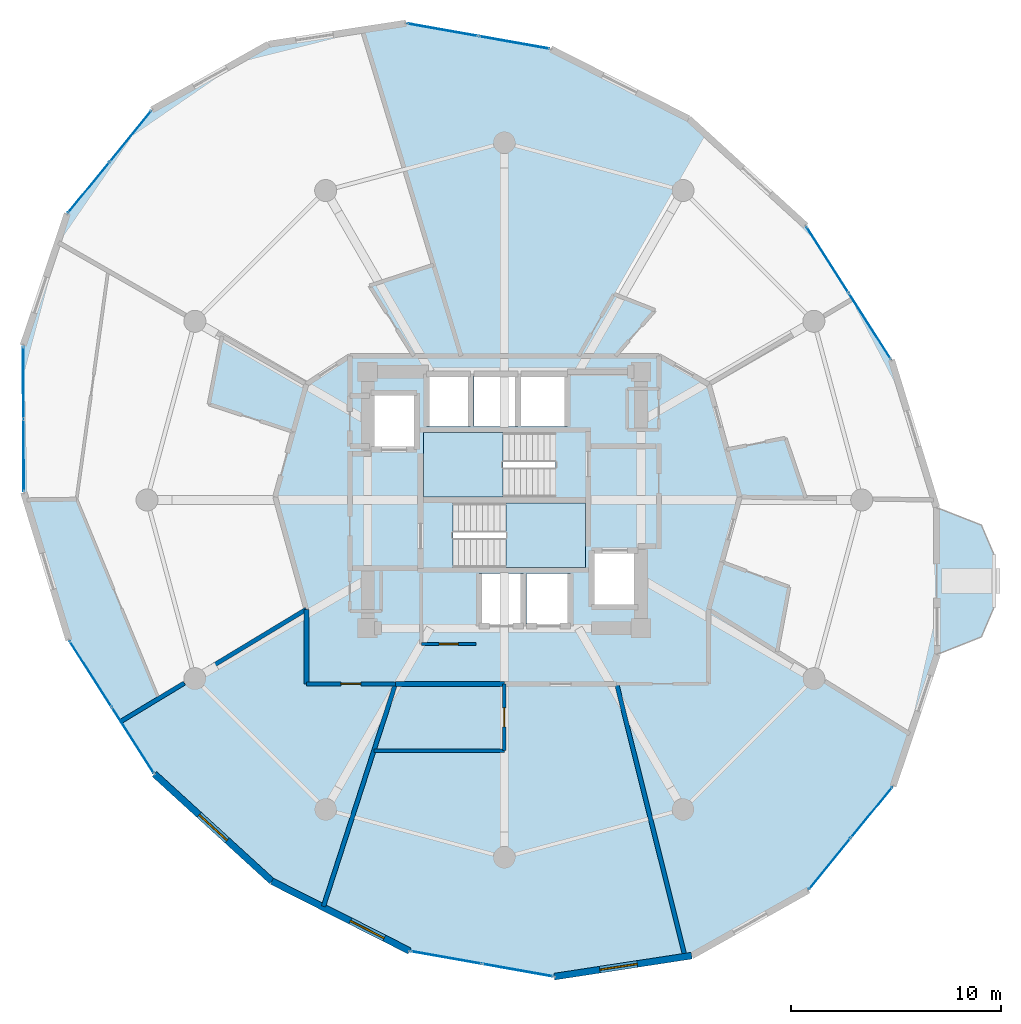
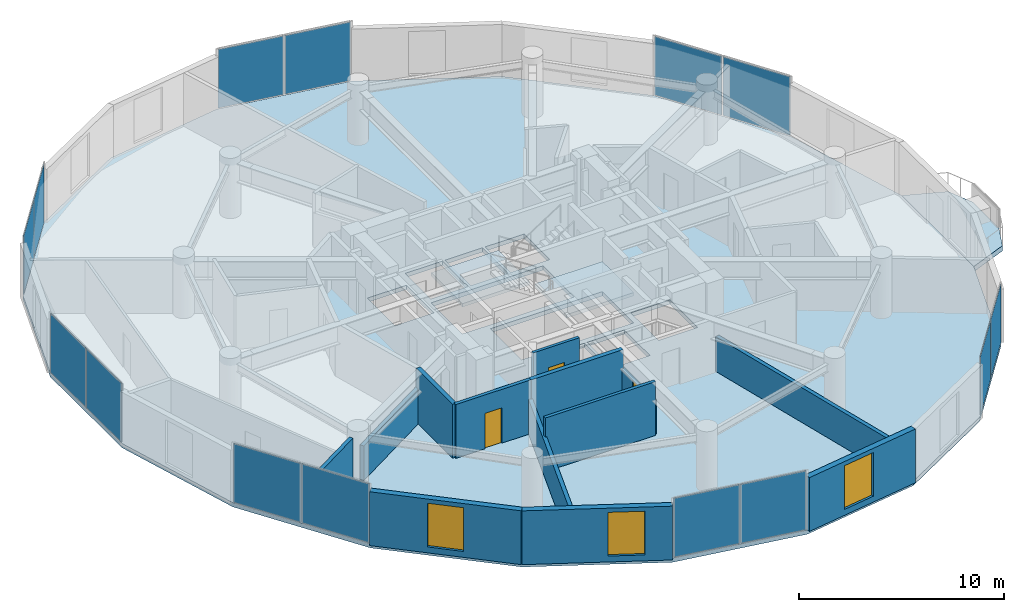
# One storey, part 16 of 22: 14 plates, 13 walls, 4 slabs, 3 doors, 3 windows, 6 openings, 9 elements without a shape of their own.
"""IFC4 building model written with IfcOpenShell, lengths in metres."""

import ifcopenshell
import ifcopenshell.guid

model = None  # the IFC model being written
_history = None  # IfcOwnerHistory: only IFC2X3 demands one
_inside = {}  # id of a spatial element -> (the spatial element, [elements in it])
_under = {}  # id of a project, library or spatial element -> (it, [spatial elements below it])
_declared = {}  # id of a project -> (the project, [libraries it declares])
_typed = {}  # id of a type object -> (the type object, [elements of that type])
_made_of = {}  # id of a material, layer set ... -> (it, [elements and type objects made of it])


def new_model(schema):
    """Start an empty IFC model of exactly this schema.

    Asked for "IFC4X3", IfcOpenShell would pick the latest addendum, in which some entities
    have other attributes; the version numbers below select the first issue.
    IFC2X3 requires an IfcOwnerHistory on every rooted entity: one is made here for all.
    """
    global model, _history
    if schema == "IFC4X3":
        model = ifcopenshell.file(schema_version=(4, 3, 0, 0))
    else:
        model = ifcopenshell.file(schema=schema)
    _inside.clear()
    _under.clear()
    _declared.clear()
    _typed.clear()
    _made_of.clear()
    _history = None
    if model.schema == "IFC2X3":
        org = make("IfcOrganization", Name="unknown")
        user = make(
            "IfcPersonAndOrganization",
            ThePerson=make("IfcPerson", FamilyName="unknown"),
            TheOrganization=org,
        )
        app = make(
            "IfcApplication",
            ApplicationDeveloper=org,
            Version="unknown",
            ApplicationFullName="unknown",
            ApplicationIdentifier="unknown",
        )
        _history = make(
            "IfcOwnerHistory",
            OwningUser=user,
            OwningApplication=app,
            ChangeAction="ADDED",
            CreationDate=0,
        )
    return model


def make(cls, **values):
    """One entity of the class cls with the attributes given. An attribute that is None is left unset."""
    return model.create_entity(
        cls, **{name: value for name, value in values.items() if value is not None}
    )


def rooted(cls, **values):
    """An entity with a GlobalId (a new one), such as an element, a storey or a relation."""
    return make(cls, GlobalId=ifcopenshell.guid.new(), OwnerHistory=_history, **values)


def si_unit(unit_type, name, prefix=None):
    """IfcSIUnit, for example si_unit("LENGTHUNIT", "METRE", prefix="MILLI")."""
    return make("IfcSIUnit", UnitType=unit_type, Prefix=prefix, Name=name)


def assignment(units):
    """IfcUnitAssignment: the units of a project."""
    return None if units is None else make("IfcUnitAssignment", Units=units)


def point(xyz):
    """IfcCartesianPoint."""
    return None if xyz is None else make("IfcCartesianPoint", Coordinates=xyz)


def direction(xyz):
    """IfcDirection."""
    return None if xyz is None else make("IfcDirection", DirectionRatios=xyz)


def frame(location, z_axis=None, x_axis=None):
    """IfcAxis2Placement3D, a coordinate frame: its origin and axes. An axis left out is left unset."""
    return make(
        "IfcAxis2Placement3D",
        Location=point(location),
        Axis=direction(z_axis),
        RefDirection=direction(x_axis),
    )


def frame_2d(location, x_axis=None):
    """IfcAxis2Placement2D, a coordinate frame in the plane: its origin and x axis."""
    return make(
        "IfcAxis2Placement2D", Location=point(location), RefDirection=direction(x_axis)
    )


def origin():
    """The frame at (0, 0, 0) with its axes left unset."""
    return frame((0.0, 0.0, 0.0))


def origin_2d():
    """The frame at (0, 0) in the plane with its x axis left unset."""
    return frame_2d((0.0, 0.0))


def place(relative_to, where):
    """IfcLocalPlacement: puts the frame where relative to a parent placement (None: the world)."""
    return make(
        "IfcLocalPlacement", PlacementRelTo=relative_to, RelativePlacement=where
    )


def context(
    kind, dimensions, precision=None, world=None, true_north=None, identifier=None
):
    """IfcGeometricRepresentationContext, for example the 3D "Model" context."""
    return make(
        "IfcGeometricRepresentationContext",
        ContextIdentifier=identifier,
        ContextType=kind,
        CoordinateSpaceDimension=dimensions,
        Precision=precision,
        WorldCoordinateSystem=world,
        TrueNorth=true_north,
    )


def subcontext(parent, identifier, kind, view, scale=None):
    """IfcGeometricRepresentationSubContext, for example "Body" below "Model"."""
    return make(
        "IfcGeometricRepresentationSubContext",
        ContextIdentifier=identifier,
        ContextType=kind,
        ParentContext=parent,
        TargetScale=scale,
        TargetView=view,
    )


def project(units=None, contexts=None):
    """IfcProject with its units and contexts."""
    return rooted(
        "IfcProject",
        Name="project",
        RepresentationContexts=contexts,
        UnitsInContext=assignment(units),
    )


def spatial(cls, under=None, at=None, **own):
    """A site, building, storey or space (cls), placed at a placement, below another one or the project."""
    s = rooted(cls, ObjectPlacement=at, **own)
    if under is not None:
        _under.setdefault(under.id(), (under, []))[1].append(s)
    return s


def polyline(points):
    """IfcPolyline through the points."""
    return make("IfcPolyline", Points=[point(p) for p in points])


def profile(cls, at=None, kind="AREA", **sizes):
    """A parametric profile (cls). Its sizes go by their IFC names, for example OverallWidth=200.0."""
    return make(cls, ProfileType=kind, Position=at, **sizes)


def rectangle(**sizes):
    """IfcRectangleProfileDef."""
    return profile("IfcRectangleProfileDef", **sizes)


def outline(outer, holes=None, kind="AREA"):
    """IfcArbitraryClosedProfileDef: a profile drawn as a closed curve; with holes, ...WithVoids."""
    if holes is None:
        return make("IfcArbitraryClosedProfileDef", ProfileType=kind, OuterCurve=outer)
    return make(
        "IfcArbitraryProfileDefWithVoids",
        ProfileType=kind,
        OuterCurve=outer,
        InnerCurves=holes,
    )


def extrude(swept, where, along, depth):
    """IfcExtrudedAreaSolid: the profile swept, set in the frame where, extruded along a direction by depth."""
    return make(
        "IfcExtrudedAreaSolid",
        SweptArea=swept,
        Position=where,
        ExtrudedDirection=direction(along),
        Depth=depth,
    )


def shape(context_of_items, identifier, shape_type, items):
    """IfcShapeRepresentation: the items that make up one representation, for example the "Body"."""
    return make(
        "IfcShapeRepresentation",
        ContextOfItems=context_of_items,
        RepresentationIdentifier=identifier,
        RepresentationType=shape_type,
        Items=items,
    )


def source(mapping_origin, context_of_items, identifier, shape_type, items):
    """IfcRepresentationMap: a shape defined once, which mapped items show again and again."""
    return make(
        "IfcRepresentationMap",
        MappingOrigin=mapping_origin,
        MappedRepresentation=shape(context_of_items, identifier, shape_type, items),
    )


def transform(
    local_origin,
    x_axis=None,
    y_axis=None,
    z_axis=None,
    scale=None,
    scale2=None,
    scale3=None,
    uniform=True,
):
    """IfcCartesianTransformationOperator3D, or its non-uniform kind. x_axis, y_axis, z_axis: its Axis1, 2, 3."""
    if uniform:
        return make(
            "IfcCartesianTransformationOperator3D",
            Axis1=direction(x_axis),
            Axis2=direction(y_axis),
            LocalOrigin=point(local_origin),
            Scale=scale,
            Axis3=direction(z_axis),
        )
    return make(
        "IfcCartesianTransformationOperator3DnonUniform",
        Axis1=direction(x_axis),
        Axis2=direction(y_axis),
        LocalOrigin=point(local_origin),
        Scale=scale,
        Axis3=direction(z_axis),
        Scale2=scale2,
        Scale3=scale3,
    )


def mapped(mapping_source, mapping_target):
    """IfcMappedItem: shows the shape of a source again, moved by a transform."""
    return make(
        "IfcMappedItem", MappingSource=mapping_source, MappingTarget=mapping_target
    )


def material(Name=None, Category=None):
    """IfcMaterial."""
    return make("IfcMaterial", Name=Name, Category=Category)


def layer(
    of_material, thickness, ventilated=None, Name=None, Category=None, Priority=None
):
    """IfcMaterialLayer: one layer of a wall or slab, of a material (None: an air gap)."""
    return make(
        "IfcMaterialLayer",
        Material=of_material,
        LayerThickness=thickness,
        IsVentilated=ventilated,
        Name=Name,
        Category=Category,
        Priority=Priority,
    )


def layer_set(layers, Name=None):
    """IfcMaterialLayerSet."""
    return make("IfcMaterialLayerSet", MaterialLayers=layers, LayerSetName=Name)


def made_of(thing, what):
    """Note that an element or type object is made of a material, layer set ...; save() writes the relation."""
    if what is not None:
        _made_of.setdefault(what.id(), (what, []))[1].append(thing)
    return thing


def type_object(cls, material=None, **own):
    """A type object (cls), such as IfcWallType, which elements share."""
    return made_of(rooted(cls, **own), material)


def element(
    cls,
    number,
    at=None,
    inside=None,
    cuts=None,
    type_object=None,
    material=None,
    context=None,
    identifier="Body",
    shape_type=None,
    held_by="IfcProductDefinitionShape",
    body=None,
    shapes=None,
    **own,
):
    """One element of the class cls, such as IfcWall. Its Tag is "e" and its number.

    at: its placement. inside: the storey or other place that contains it. cuts: it is an
    opening in that element (IfcRelVoidsElement). A single representation is given by context,
    identifier, shape_type and body (its items); several are given by shapes. held_by: the class
    of the entity that holds the representations. save() writes the other relations.
    """
    e = rooted(cls, Tag="e%d" % number, ObjectPlacement=at, **own)
    if body is not None:
        shapes = [shape(context, identifier, shape_type, body)]
    if shapes is not None:
        e.Representation = make(held_by, Representations=shapes)
    if inside is not None:
        _inside.setdefault(inside.id(), (inside, []))[1].append(e)
    if cuts is not None:
        rooted(
            "IfcRelVoidsElement", RelatingBuildingElement=cuts, RelatedOpeningElement=e
        )
    if type_object is not None:
        _typed.setdefault(type_object.id(), (type_object, []))[1].append(e)
    return made_of(e, material)


def fill(opening, filler):
    """IfcRelFillsElement: the door or window that sits in an opening."""
    return rooted(
        "IfcRelFillsElement",
        RelatingOpeningElement=opening,
        RelatedBuildingElement=filler,
    )


def aggregate(whole, parts):
    """IfcRelAggregates: a whole, such as a stair, and the parts it consists of."""
    return rooted("IfcRelAggregates", RelatingObject=whole, RelatedObjects=parts)


def save(model, path):
    """Write the relations noted so far, then the file.

    IfcRelAggregates (storeys below a building ...), IfcRelContainedInSpatialStructure (elements
    in a storey), IfcRelDefinesByType, IfcRelAssociatesMaterial and IfcRelDeclares: one each for
    every whole, place, type object, material and project.
    """
    for whole, parts in _under.values():
        aggregate(whole, parts)
    for where, things in _inside.values():
        rooted(
            "IfcRelContainedInSpatialStructure",
            RelatedElements=things,
            RelatingStructure=where,
        )
    for kind, things in _typed.values():
        rooted("IfcRelDefinesByType", RelatedObjects=things, RelatingType=kind)
    for what, things in _made_of.values():
        rooted("IfcRelAssociatesMaterial", RelatedObjects=things, RelatingMaterial=what)
    for by, libraries in _declared.values():
        rooted("IfcRelDeclares", RelatingContext=by, RelatedDefinitions=libraries)
    model.write(path)


model = new_model("IFC4")

# Units and contexts
model_context = context("Model", 3, precision=1e-05, world=origin(), true_north=direction((0.0, 1.0)))
body_context = subcontext(model_context, "Body", "Model", "MODEL_VIEW")
ifc_project = project(units=[si_unit("LENGTHUNIT", "METRE"), si_unit("AREAUNIT", "SQUARE_METRE"), si_unit("VOLUMEUNIT", "CUBIC_METRE"), si_unit("PLANEANGLEUNIT", "RADIAN"), si_unit("MASSUNIT", "GRAM", prefix="KILO")], contexts=[model_context])

# Site, building, storey
site_placement = place(None, origin())
site = spatial("IfcSite", under=ifc_project, at=site_placement, CompositionType="ELEMENT")
building_placement = place(site_placement, origin())
building = spatial("IfcBuilding", under=site, at=building_placement, Name="Solvirekh Grand Hotel", CompositionType="ELEMENT")
storey_placement = place(building_placement, frame((0.0, 0.0, 160.199951171875)))
storey = spatial("IfcBuildingStorey", under=building, at=storey_placement, Name="L41", CompositionType="ELEMENT", Elevation=160.199951171875)

# Slab
ifc_material_1 = material(Name="Concrete C50/60", Category="concrete")
ifc_layer_1 = layer(ifc_material_1, 0.31005859375)
ifc_layer_set_1 = layer_set([ifc_layer_1], Name="Concrete C50/60")
slab_type_1 = type_object("IfcSlabType", Name="ExtHornSkyGarden_310", PredefinedType="FLOOR", material=ifc_layer_set_1)
slab_1_placement = place(storey_placement, frame((0.0, 0.0, -0.31005859375)))
element("IfcSlab", 1, at=slab_1_placement, inside=storey, type_object=slab_type_1, Name="L41 east horn sky-garden deck", PredefinedType="FLOOR", context=body_context, shape_type="SweptSolid", body=[
    extrude(outline(polyline([(20.56201171875, -0.35791015625), (20.589111328125, -7.347900390625), (22.68896484375, -6.509033203125), (23.2890625, -5.111083984375), (23.2890625, -2.594970703125), (22.68896484375, -1.197021484375), (20.56201171875, -0.35791015625)])), origin(), (0.0, 0.0, 1.0), 0.31005859375),
])

# Stair, slab
ifc_material_2 = material(Name="Concrete C40/50", Category="concrete")
stair_type = type_object("IfcStairType", Name="Stair_Core_1450", PredefinedType="HALF_TURN_STAIR", material=ifc_material_2)
stair_1_placement = place(storey_placement, origin())
stair_1 = element("IfcStair", 2, at=stair_1_placement, inside=storey, type_object=stair_type, Name="L41 Enclosed exit stair ST-1", PredefinedType="HALF_TURN_STAIR")
ifc_layer_2 = layer(ifc_material_2, 0.199951171875)
ifc_layer_set_2 = layer_set([ifc_layer_2], Name="Concrete C40/50")
slab_type_2 = type_object("IfcSlabType", Name="Landing_Stair_200", PredefinedType="LANDING", material=ifc_layer_set_2)
slab_2_placement = place(storey_placement, frame((0.0, 0.0, 1.60009765625)))
slab_2 = element("IfcSlab", 3, at=slab_2_placement, type_object=slab_type_2, Name="ST-1 landing 1", PredefinedType="LANDING", context=body_context, shape_type="SweptSolid", body=[
    extrude(outline(polyline([(0.070068359375, -3.199951171875), (3.85009765625, -3.199951171875), (3.85009765625, -0.14990234375), (0.070068359375, -0.14990234375), (0.070068359375, -3.199951171875)])), origin(), (0.0, 0.0, 1.0), 0.199951171875),
])
aggregate(stair_1, [slab_2])

stair_2_placement = place(storey_placement, origin())
stair_2 = element("IfcStair", 4, at=stair_2_placement, inside=storey, type_object=stair_type, Name="L41 Enclosed exit stair ST-2", PredefinedType="HALF_TURN_STAIR")
slab_3_placement = place(storey_placement, frame((0.0, 0.0, 1.60009765625)))
slab_3 = element("IfcSlab", 5, at=slab_3_placement, type_object=slab_type_2, Name="ST-2 landing 1", PredefinedType="LANDING", context=body_context, shape_type="SweptSolid", body=[
    extrude(outline(polyline([(-0.070068359375, 3.199951171875), (-3.85009765625, 3.199951171875), (-3.85009765625, 0.14990234375), (-0.070068359375, 0.14990234375), (-0.070068359375, 3.199951171875)])), origin(), (0.0, 0.0, 1.0), 0.199951171875),
])
aggregate(stair_2, [slab_3])

# Slab
ifc_layer_3 = layer(ifc_material_1, 0.25)
ifc_layer_set_3 = layer_set([ifc_layer_3], Name="Concrete C50/60")
slab_type_3 = type_object("IfcSlabType", Name="Slab_GuestZ2_250", PredefinedType="FLOOR", material=ifc_layer_set_3)
slab_4_placement = place(storey_placement, frame((0.0, 0.0, -0.25)))
element("IfcSlab", 6, at=slab_4_placement, inside=storey, type_object=slab_type_3, Name="L41 structural floor slab", PredefinedType="FLOOR", context=body_context, shape_type="SweptSolid", body=[
    extrude(outline(polyline([(14.464111328125, -18.554931640625), (18.487060546875, -13.617919921875), (20.589111328125, -7.347900390625), (20.56201171875, -0.35791015625), (18.410888671875, 6.666015625), (14.343994140625, 13.0380859375), (8.760986328125, 18.134033203125), (2.2080078125, 21.4541015625), (-4.674072265625, 22.675048828125), (-11.2109375, 21.676025390625), (-16.763916015625, 18.554931640625), (-20.787109375, 13.617919921875), (-22.888916015625, 7.347900390625), (-22.862060546875, 0.35791015625), (-20.7109375, -6.666015625), (-16.64404296875, -13.0380859375), (-11.06103515625, -18.134033203125), (-4.508056640625, -21.4541015625), (2.3740234375, -22.675048828125), (8.910888671875, -21.676025390625), (14.464111328125, -18.554931640625)]), holes=[polyline([(-2.444091796875, -0.14990234375), (3.85009765625, -0.14990234375), (3.85009765625, -3.199951171875), (-2.444091796875, -3.199951171875), (-2.444091796875, -0.14990234375)]), polyline([(2.444091796875, 0.14990234375), (-3.85009765625, 0.14990234375), (-3.85009765625, 3.199951171875), (2.444091796875, 3.199951171875), (2.444091796875, 0.14990234375)]), polyline([(-1.199951171875, -3.5), (0.89990234375, -3.5), (0.89990234375, -6.0), (-1.199951171875, -6.0), (-1.199951171875, -3.5)]), polyline([(1.050048828125, -3.5), (3.14990234375, -3.5), (3.14990234375, -6.0), (1.050048828125, -6.0), (1.050048828125, -3.5)]), polyline([(-3.699951171875, 6.0), (-1.60009765625, 6.0), (-1.60009765625, 3.5), (-3.699951171875, 3.5), (-3.699951171875, 6.0)]), polyline([(-1.449951171875, 6.0), (0.64990234375, 6.0), (0.64990234375, 3.5), (-1.449951171875, 3.5), (-1.449951171875, 6.0)]), polyline([(0.800048828125, 6.0), (3.0, 6.0), (3.0, 3.5), (0.800048828125, 3.5), (0.800048828125, 6.0)]), polyline([(-6.35009765625, 5.10009765625), (-4.14990234375, 5.10009765625), (-4.14990234375, 2.39990234375), (-6.35009765625, 2.39990234375), (-6.35009765625, 5.10009765625)]), polyline([(4.14990234375, -2.39990234375), (6.35009765625, -2.39990234375), (6.35009765625, -5.10009765625), (4.14990234375, -5.10009765625), (4.14990234375, -2.39990234375)])]), origin(), (0.0, 0.0, 1.0), 0.25),
])

# Curtain wall, plates
ifc_material_3 = material(Name="Anodized Bronze Aluminium 6063-T6", Category="aluminium")
ifc_layer_4 = layer(ifc_material_3, 0.175048828125)
ifc_layer_set_4 = layer_set([ifc_layer_4], Name="Anodized Bronze Aluminium 6063-T6")
curtain_wall_type = type_object("IfcCurtainWallType", Name="CW_Sys3_MidZoneFlushBronzeCW", PredefinedType="NOTDEFINED", material=ifc_layer_set_4)
curtain_wall_1_placement = place(storey_placement, origin())
curtain_wall_1 = element("IfcCurtainWall", 7, at=curtain_wall_1_placement, inside=storey, type_object=curtain_wall_type, Name="L41 unitised bronze-glass curtain wall CW-L41-C08", PredefinedType="NOTDEFINED")
ifc_material_4 = material(Name="Low-E Tinted Bronze Laminated Glass", Category="aluminium")
ifc_layer_5 = layer(ifc_material_4, 0.035888671875)
ifc_layer_set_5 = layer_set([ifc_layer_5], Name="Low-E Tinted Bronze Laminated Glass")
plate_type = type_object("IfcPlateType", Name="CWPanel_Mid_36", PredefinedType="CURTAIN_PANEL", material=ifc_layer_set_5)
shared_shape_1 = source(origin(), body_context, "Body", "SweptSolid", [
    extrude(rectangle(XDim=3.397216796875, YDim=0.035888671875, at=origin_2d()), origin(), (0.0, 0.0, 1.0), 3.489990234375),
])
plate_1_placement = place(storey_placement, frame((0.471435546875, 21.76220703125, 0.05517578125), z_axis=(0.0, 0.0, 1.0), x_axis=(-0.984623266048, 0.174691224616, 0.0)))
plate_1 = element("IfcPlate", 8, at=plate_1_placement, type_object=plate_type, Name="U03 panel 1.1", PredefinedType="CURTAIN_PANEL", context=body_context, shape_type="MappedRepresentation", body=[
    mapped(shared_shape_1, transform((0.0, 0.0, 0.0), x_axis=(1.0, 0.0, 0.0), y_axis=(0.0, 1.0, 0.0), z_axis=(0.0, 0.0, 1.0), scale=1.0)),
])
plate_2_placement = place(storey_placement, frame((-2.9375, 22.366943359375, 0.05517578125), z_axis=(0.0, 0.0, 1.0), x_axis=(-0.984623266048, 0.174691224616, 0.0)))
plate_2 = element("IfcPlate", 9, at=plate_2_placement, type_object=plate_type, Name="U03 panel 2.1", PredefinedType="CURTAIN_PANEL", context=body_context, shape_type="MappedRepresentation", body=[
    mapped(shared_shape_1, transform((0.0, 0.0, 0.0), x_axis=(1.0, 0.0, 0.0), y_axis=(0.0, 1.0, 0.0), z_axis=(0.0, 0.0, 1.0), scale=1.0)),
])
aggregate(curtain_wall_1, [plate_1, plate_2])

curtain_wall_2_placement = place(storey_placement, origin())
curtain_wall_2 = element("IfcCurtainWall", 10, at=curtain_wall_2_placement, inside=storey, type_object=curtain_wall_type, Name="L41 unitised bronze-glass curtain wall CW-L41-C18", PredefinedType="NOTDEFINED")
plate_3_placement = place(storey_placement, frame((-2.771484375, -21.76220703125, 0.05517578125), z_axis=(0.0, 0.0, 1.0), x_axis=(0.984623266048, -0.174691224616, 0.0)))
plate_3 = element("IfcPlate", 11, at=plate_3_placement, type_object=plate_type, Name="U03 panel 1.1", PredefinedType="CURTAIN_PANEL", context=body_context, shape_type="MappedRepresentation", body=[
    mapped(shared_shape_1, transform((0.0, 0.0, 0.0), x_axis=(1.0, 0.0, 0.0), y_axis=(0.0, 1.0, 0.0), z_axis=(0.0, 0.0, 1.0), scale=1.0)),
])
plate_4_placement = place(storey_placement, frame((0.637451171875, -22.366943359375, 0.05517578125), z_axis=(0.0, 0.0, 1.0), x_axis=(0.984623266048, -0.174691224616, 0.0)))
plate_4 = element("IfcPlate", 12, at=plate_4_placement, type_object=plate_type, Name="U03 panel 2.1", PredefinedType="CURTAIN_PANEL", context=body_context, shape_type="MappedRepresentation", body=[
    mapped(shared_shape_1, transform((0.0, 0.0, 0.0), x_axis=(1.0, 0.0, 0.0), y_axis=(0.0, 1.0, 0.0), z_axis=(0.0, 0.0, 1.0), scale=1.0)),
])
aggregate(curtain_wall_2, [plate_3, plate_4])

curtain_wall_3_placement = place(storey_placement, origin())
curtain_wall_3 = element("IfcCurtainWall", 13, at=curtain_wall_3_placement, inside=storey, type_object=curtain_wall_type, Name="L41 unitised bronze-glass curtain wall CW-L41-C05", PredefinedType="NOTDEFINED")
shared_shape_2 = source(origin(), body_context, "Body", "SweptSolid", [
    extrude(rectangle(XDim=3.68212890625, YDim=0.035888671875, at=origin_2d()), origin(), (0.0, 0.0, 1.0), 3.489990234375),
])
plate_5_placement = place(storey_placement, frame((17.385498046875, 8.272705078125, 0.05517578125), z_axis=(0.0, 0.0, 1.0), x_axis=(-0.53801345445, 0.842936250751, 0.0)))
plate_5 = element("IfcPlate", 14, at=plate_5_placement, type_object=plate_type, Name="U03 panel 1.1", PredefinedType="CURTAIN_PANEL", context=body_context, shape_type="MappedRepresentation", body=[
    mapped(shared_shape_2, transform((0.0, 0.0, 0.0), x_axis=(1.0, 0.0, 0.0), y_axis=(0.0, 1.0, 0.0), z_axis=(0.0, 0.0, 1.0), scale=1.0)),
])
plate_6_placement = place(storey_placement, frame((15.369384765625, 11.431396484375, 0.05517578125), z_axis=(0.0, 0.0, 1.0), x_axis=(-0.53801345445, 0.842936250751, 0.0)))
plate_6 = element("IfcPlate", 15, at=plate_6_placement, type_object=plate_type, Name="U03 panel 2.1", PredefinedType="CURTAIN_PANEL", context=body_context, shape_type="MappedRepresentation", body=[
    mapped(shared_shape_2, transform((0.0, 0.0, 0.0), x_axis=(1.0, 0.0, 0.0), y_axis=(0.0, 1.0, 0.0), z_axis=(0.0, 0.0, 1.0), scale=1.0)),
])
aggregate(curtain_wall_3, [plate_5, plate_6])

curtain_wall_4_placement = place(storey_placement, origin())
curtain_wall_4 = element("IfcCurtainWall", 16, at=curtain_wall_4_placement, inside=storey, type_object=curtain_wall_type, Name="L41 unitised bronze-glass curtain wall CW-L41-C15", PredefinedType="NOTDEFINED")
plate_7_placement = place(storey_placement, frame((-19.685546875, -8.272705078125, 0.05517578125), z_axis=(0.0, 0.0, 1.0), x_axis=(0.53801345445, -0.842936250751, 0.0)))
plate_7 = element("IfcPlate", 17, at=plate_7_placement, type_object=plate_type, Name="U03 panel 1.1", PredefinedType="CURTAIN_PANEL", context=body_context, shape_type="MappedRepresentation", body=[
    mapped(shared_shape_2, transform((0.0, 0.0, 0.0), x_axis=(1.0, 0.0, 0.0), y_axis=(0.0, 1.0, 0.0), z_axis=(0.0, 0.0, 1.0), scale=1.0)),
])
plate_8_placement = place(storey_placement, frame((-17.66943359375, -11.431396484375, 0.05517578125), z_axis=(0.0, 0.0, 1.0), x_axis=(0.53801345445, -0.842936250751, 0.0)))
plate_8 = element("IfcPlate", 18, at=plate_8_placement, type_object=plate_type, Name="U03 panel 2.1", PredefinedType="CURTAIN_PANEL", context=body_context, shape_type="MappedRepresentation", body=[
    mapped(shared_shape_2, transform((0.0, 0.0, 0.0), x_axis=(1.0, 0.0, 0.0), y_axis=(0.0, 1.0, 0.0), z_axis=(0.0, 0.0, 1.0), scale=1.0)),
])
aggregate(curtain_wall_4, [plate_7, plate_8])

curtain_wall_5_placement = place(storey_placement, origin())
curtain_wall_5 = element("IfcCurtainWall", 19, at=curtain_wall_5_placement, inside=storey, type_object=curtain_wall_type, Name="L41 unitised bronze-glass curtain wall CW-L41-C01", PredefinedType="NOTDEFINED")
shared_shape_3 = source(origin(), body_context, "Body", "SweptSolid", [
    extrude(rectangle(XDim=3.086669921875, YDim=0.035888671875, at=origin_2d()), origin(), (0.0, 0.0, 1.0), 3.489990234375),
])
plate_9_placement = place(storey_placement, frame((15.47998046875, -17.30810546875, 0.05517578125), z_axis=(0.0, 0.0, 1.0), x_axis=(0.631697416679, 0.77521505001, 0.0)))
plate_9 = element("IfcPlate", 20, at=plate_9_placement, type_object=plate_type, Name="U03 panel 1.1", PredefinedType="CURTAIN_PANEL", context=body_context, shape_type="MappedRepresentation", body=[
    mapped(shared_shape_3, transform((0.0, 0.0, 0.0), x_axis=(1.0, 0.0, 0.0), y_axis=(0.0, 1.0, 0.0), z_axis=(0.0, 0.0, 1.0), scale=1.0)),
])
plate_10_placement = place(storey_placement, frame((17.470947265625, -14.86474609375, 0.05517578125), z_axis=(0.0, 0.0, 1.0), x_axis=(0.631697416679, 0.77521505001, 0.0)))
plate_10 = element("IfcPlate", 21, at=plate_10_placement, type_object=plate_type, Name="U03 panel 2.1", PredefinedType="CURTAIN_PANEL", context=body_context, shape_type="MappedRepresentation", body=[
    mapped(shared_shape_3, transform((0.0, 0.0, 0.0), x_axis=(1.0, 0.0, 0.0), y_axis=(0.0, 1.0, 0.0), z_axis=(0.0, 0.0, 1.0), scale=1.0)),
])
aggregate(curtain_wall_5, [plate_9, plate_10])

curtain_wall_6_placement = place(storey_placement, origin())
curtain_wall_6 = element("IfcCurtainWall", 22, at=curtain_wall_6_placement, inside=storey, type_object=curtain_wall_type, Name="L41 unitised bronze-glass curtain wall CW-L41-C11", PredefinedType="NOTDEFINED")
plate_11_placement = place(storey_placement, frame((-17.780029296875, 17.30810546875, 0.05517578125), z_axis=(0.0, 0.0, 1.0), x_axis=(-0.631697416679, -0.77521505001, 0.0)))
plate_11 = element("IfcPlate", 23, at=plate_11_placement, type_object=plate_type, Name="U03 panel 1.1", PredefinedType="CURTAIN_PANEL", context=body_context, shape_type="MappedRepresentation", body=[
    mapped(shared_shape_3, transform((0.0, 0.0, 0.0), x_axis=(1.0, 0.0, 0.0), y_axis=(0.0, 1.0, 0.0), z_axis=(0.0, 0.0, 1.0), scale=1.0)),
])
plate_12_placement = place(storey_placement, frame((-19.77099609375, 14.86474609375, 0.05517578125), z_axis=(0.0, 0.0, 1.0), x_axis=(-0.631697416679, -0.77521505001, 0.0)))
plate_12 = element("IfcPlate", 24, at=plate_12_placement, type_object=plate_type, Name="U03 panel 2.1", PredefinedType="CURTAIN_PANEL", context=body_context, shape_type="MappedRepresentation", body=[
    mapped(shared_shape_3, transform((0.0, 0.0, 0.0), x_axis=(1.0, 0.0, 0.0), y_axis=(0.0, 1.0, 0.0), z_axis=(0.0, 0.0, 1.0), scale=1.0)),
])
aggregate(curtain_wall_6, [plate_11, plate_12])

curtain_wall_7_placement = place(storey_placement, origin())
curtain_wall_7 = element("IfcCurtainWall", 25, at=curtain_wall_7_placement, inside=storey, type_object=curtain_wall_type, Name="L41 unitised bronze-glass curtain wall CW-L41-C13", PredefinedType="NOTDEFINED")
shared_shape_4 = source(origin(), body_context, "Body", "SweptSolid", [
    extrude(rectangle(XDim=3.3974609375, YDim=0.035888671875, at=origin_2d()), origin(), (0.0, 0.0, 1.0), 3.489990234375),
])
plate_13_placement = place(storey_placement, frame((-22.882080078125, 5.584228515625, 0.05517578125), z_axis=(0.0, 0.0, 1.0), x_axis=(0.003862632127, -0.999992540009, 0.0)))
plate_13 = element("IfcPlate", 26, at=plate_13_placement, type_object=plate_type, Name="U03 panel 1.1", PredefinedType="CURTAIN_PANEL", context=body_context, shape_type="MappedRepresentation", body=[
    mapped(shared_shape_4, transform((0.0, 0.0, 0.0), x_axis=(1.0, 0.0, 0.0), y_axis=(0.0, 1.0, 0.0), z_axis=(0.0, 0.0, 1.0), scale=1.0)),
])
plate_14_placement = place(storey_placement, frame((-22.868896484375, 2.121826171875, 0.05517578125), z_axis=(0.0, 0.0, 1.0), x_axis=(0.003862632127, -0.999992540009, 0.0)))
plate_14 = element("IfcPlate", 27, at=plate_14_placement, type_object=plate_type, Name="U03 panel 2.1", PredefinedType="CURTAIN_PANEL", context=body_context, shape_type="MappedRepresentation", body=[
    mapped(shared_shape_4, transform((0.0, 0.0, 0.0), x_axis=(1.0, 0.0, 0.0), y_axis=(0.0, 1.0, 0.0), z_axis=(0.0, 0.0, 1.0), scale=1.0)),
])
aggregate(curtain_wall_7, [plate_13, plate_14])

# Wall, opening, window
ifc_material_5 = material(Name="Precast concrete C45/55", Category="concrete")
ifc_layer_6 = layer(ifc_material_5, 0.320068359375)
ifc_layer_set_6 = layer_set([ifc_layer_6], Name="Precast concrete C45/55")
wall_type_1 = type_object("IfcWallType", Name="ExtLobbyWall_RC320", PredefinedType="SOLIDWALL", material=ifc_layer_set_6)
wall_1_placement = place(storey_placement, frame((-11.06103515625, -18.134033203125, 0.0), z_axis=(0.0, 0.0, 1.0), x_axis=(-0.738589670995, 0.674155247624, 0.0)))
wall_1 = element("IfcWall", 28, at=wall_1_placement, inside=storey, type_object=wall_type_1, Name="L41 exterior structural wall chord 16", PredefinedType="SOLIDWALL", context=body_context, shape_type="SweptSolid", body=[
    extrude(rectangle(XDim=7.55908203125, YDim=0.320068359375, at=frame_2d((3.779541015625, 0.0))), origin(), (0.0, 0.0, 1.0), 3.199951171875),
])
opening_1_placement = place(wall_1_placement, frame((2.8798828125, 0.0, 0.35009765625)))
opening_1 = element("IfcOpeningElement", 29, at=opening_1_placement, cuts=wall_1, Name="Opening W02", PredefinedType="OPENING", context=body_context, shape_type="SweptSolid", body=[
    extrude(rectangle(XDim=1.800048828125, YDim=2.60009765625, at=frame_2d((0.89990234375, 1.300048828125))), frame((0.0, 0.169921875, 0.0), z_axis=(0.0, -1.0, 0.0), x_axis=(1.0, 0.0, 0.0)), (0.0, 0.0, 1.0), 0.340087890625),
])
window_type = type_object("IfcWindowType", Name="Win_LobbyExt_1800X2600", PartitioningType="SINGLE_PANEL", PredefinedType="WINDOW", material=ifc_material_4)
window_1_placement = place(opening_1_placement, origin())
window_1 = element("IfcWindow", 30, at=window_1_placement, inside=storey, type_object=window_type, Name="L41 panoramic bronze-framed window 16", OverallHeight=2.60009765625, OverallWidth=1.800048828125, PartitioningType="SINGLE_PANEL", PredefinedType="WINDOW", context=body_context, shape_type="SweptSolid", body=[
    extrude(rectangle(XDim=1.800048828125, YDim=2.60009765625, at=frame_2d((0.89990234375, 1.300048828125))), frame((0.0, 0.030029296875, 0.0), z_axis=(0.0, -1.0, 0.0), x_axis=(1.0, 0.0, 0.0)), (0.0, 0.0, 1.0), 0.06005859375),
])
fill(opening_1, window_1)

wall_2_placement = place(storey_placement, frame((-4.508056640625, -21.4541015625, 0.0), z_axis=(0.0, 0.0, 1.0), x_axis=(-0.892041671527, 0.451953157151, 0.0)))
wall_2 = element("IfcWall", 31, at=wall_2_placement, inside=storey, type_object=wall_type_1, Name="L41 exterior structural wall chord 17", PredefinedType="SOLIDWALL", context=body_context, shape_type="SweptSolid", body=[
    extrude(rectangle(XDim=7.345947265625, YDim=0.320068359375, at=frame_2d((3.6728515625, 0.0))), origin(), (0.0, 0.0, 1.0), 3.199951171875),
])
opening_2_placement = place(wall_2_placement, frame((1.35791015625, 0.0, 0.35009765625)))
opening_2 = element("IfcOpeningElement", 32, at=opening_2_placement, cuts=wall_2, Name="Opening W02", PredefinedType="OPENING", context=body_context, shape_type="SweptSolid", body=[
    extrude(rectangle(XDim=1.800048828125, YDim=2.60009765625, at=frame_2d((0.89990234375, 1.300048828125))), frame((0.0, 0.169921875, 0.0), z_axis=(0.0, -1.0, 0.0), x_axis=(1.0, 0.0, 0.0)), (0.0, 0.0, 1.0), 0.340087890625),
])
window_2_placement = place(opening_2_placement, origin())
window_2 = element("IfcWindow", 33, at=window_2_placement, inside=storey, type_object=window_type, Name="L41 panoramic bronze-framed window 17", OverallHeight=2.60009765625, OverallWidth=1.800048828125, PartitioningType="SINGLE_PANEL", PredefinedType="WINDOW", context=body_context, shape_type="SweptSolid", body=[
    extrude(rectangle(XDim=1.800048828125, YDim=2.60009765625, at=frame_2d((0.89990234375, 1.300048828125))), frame((0.0, 0.030029296875, 0.0), z_axis=(0.0, -1.0, 0.0), x_axis=(1.0, 0.0, 0.0)), (0.0, 0.0, 1.0), 0.06005859375),
])
fill(opening_2, window_2)

wall_3_placement = place(storey_placement, frame((8.910888671875, -21.676025390625, 0.0), z_axis=(0.0, 0.0, 1.0), x_axis=(-0.988522302644, -0.151075005132, 0.0)))
wall_3 = element("IfcWall", 34, at=wall_3_placement, inside=storey, type_object=wall_type_1, Name="L41 exterior structural wall chord 19", PredefinedType="SOLIDWALL", context=body_context, shape_type="SweptSolid", body=[
    extrude(rectangle(XDim=6.61279296875, YDim=0.320068359375, at=frame_2d((3.306396484375, 0.0))), origin(), (0.0, 0.0, 1.0), 3.199951171875),
])
opening_3_placement = place(wall_3_placement, frame((2.617919921875, 0.0, 0.35009765625)))
opening_3 = element("IfcOpeningElement", 35, at=opening_3_placement, cuts=wall_3, Name="Opening W02", PredefinedType="OPENING", context=body_context, shape_type="SweptSolid", body=[
    extrude(rectangle(XDim=1.800048828125, YDim=2.60009765625, at=frame_2d((0.89990234375, 1.300048828125))), frame((0.0, 0.169921875, 0.0), z_axis=(0.0, -1.0, 0.0), x_axis=(1.0, 0.0, 0.0)), (0.0, 0.0, 1.0), 0.340087890625),
])
window_3_placement = place(opening_3_placement, origin())
window_3 = element("IfcWindow", 36, at=window_3_placement, inside=storey, type_object=window_type, Name="L41 panoramic bronze-framed window 19", OverallHeight=2.60009765625, OverallWidth=1.800048828125, PartitioningType="SINGLE_PANEL", PredefinedType="WINDOW", context=body_context, shape_type="SweptSolid", body=[
    extrude(rectangle(XDim=1.800048828125, YDim=2.60009765625, at=frame_2d((0.89990234375, 1.300048828125))), frame((0.0, 0.030029296875, 0.0), z_axis=(0.0, -1.0, 0.0), x_axis=(1.0, 0.0, 0.0)), (0.0, 0.0, 1.0), 0.06005859375),
])
fill(opening_3, window_3)

# Wall, opening, door
ifc_material_6 = material(Name="Acoustic Gypsum Partition Assembly")
ifc_layer_7 = layer(ifc_material_6, 0.1650390625)
ifc_layer_set_7 = layer_set([ifc_layer_7], Name="Acoustic Gypsum Partition Assembly")
wall_type_2 = type_object("IfcWallType", Name="Part_BOH_165", PredefinedType="PARTITIONING", material=ifc_layer_set_7)
wall_4_placement = place(storey_placement, frame((-3.949951171875, -6.85009765625, 0.0), z_axis=(0.0, 0.0, 1.0), x_axis=(1.0, 0.0, 0.0)))
wall_4 = element("IfcWall", 37, at=wall_4_placement, inside=storey, type_object=wall_type_2, Name="L41 Mid-Zone Housekeeping Room wall 1", PredefinedType="PARTITIONING", context=body_context, shape_type="SweptSolid", body=[
    extrude(rectangle(XDim=2.599853515625, YDim=0.1650390625, at=frame_2d((1.2998046875, 0.0))), origin(), (0.0, 0.0, 1.0), 3.199951171875),
])
opening_4_placement = place(wall_4_placement, frame((0.85009765625, 0.0, 0.0)))
opening_4 = element("IfcOpeningElement", 38, at=opening_4_placement, cuts=wall_4, Name="Opening D14", PredefinedType="OPENING", context=body_context, shape_type="SweptSolid", body=[
    extrude(rectangle(XDim=0.89990234375, YDim=2.02001953125, at=frame_2d((0.449951171875, 1.010009765625))), frame((0.0, 0.092529296875, 0.0), z_axis=(0.0, -1.0, 0.0), x_axis=(1.0, 0.0, 0.0)), (0.0, 0.0, 1.0), 0.18505859375),
])
ifc_material_7 = material(Name="Fire-Rated Steel Door Assembly", Category="steel")
door_type_1 = type_object("IfcDoorType", Name="Door_LowHeadroom_900X2020", OperationType="NOTDEFINED", PredefinedType="DOOR", material=ifc_material_7)
door_1_placement = place(opening_4_placement, origin())
door_1 = element("IfcDoor", 39, at=door_1_placement, inside=storey, type_object=door_type_1, Name="L41 Mid-Zone Housekeeping Room door", OperationType="SINGLE_SWING_RIGHT", OverallHeight=2.02001953125, OverallWidth=0.89990234375, PredefinedType="DOOR", context=body_context, shape_type="SweptSolid", body=[
    extrude(rectangle(XDim=0.89990234375, YDim=2.02001953125, at=frame_2d((0.449951171875, 1.010009765625))), frame((0.0, 0.02490234375, 0.0), z_axis=(0.0, -1.0, 0.0), x_axis=(1.0, 0.0, 0.0)), (0.0, 0.0, 1.0), 0.050048828125),
])
fill(opening_4, door_1)

# Walls
ifc_layer_8 = layer(ifc_material_6, 0.239990234375)
ifc_layer_set_8 = layer_set([ifc_layer_8], Name="Acoustic Gypsum Partition Assembly")
wall_type_3 = type_object("IfcWallType", Name="Part_Corridor_240", PredefinedType="PARTITIONING", material=ifc_layer_set_8)
wall_5_placement = place(storey_placement, frame((-9.419921875, -5.199951171875, 0.0), z_axis=(0.0, 0.0, 1.0), x_axis=(0.0, -1.0, 0.0)))
element("IfcWall", 40, at=wall_5_placement, inside=storey, type_object=wall_type_3, Name="L41 L41 Botanical Tea Atrium corridor wall 1", PredefinedType="PARTITIONING", context=body_context, shape_type="SweptSolid", body=[
    extrude(rectangle(XDim=3.550048828125, YDim=0.239990234375, at=frame_2d((1.77490234375, 0.0))), origin(), (0.0, 0.0, 1.0), 3.199951171875),
])
wall_6_placement = place(storey_placement, frame((-5.180908203125, -8.75, 0.0), z_axis=(0.0, 0.0, 1.0), x_axis=(1.0, 0.0, 0.0)))
element("IfcWall", 41, at=wall_6_placement, inside=storey, type_object=wall_type_3, Name="L41 En-suite Bathroom 4306 corridor backing wall", PredefinedType="PARTITIONING", context=body_context, shape_type="SweptSolid", body=[
    extrude(rectangle(XDim=5.180908203125, YDim=0.239990234375, at=frame_2d((2.59033203125, 0.0))), origin(), (0.0, 0.0, 1.0), 3.199951171875),
])

# Wall, opening, door
ifc_layer_9 = layer(ifc_material_6, 0.18994140625)
ifc_layer_set_9 = layer_set([ifc_layer_9], Name="Acoustic Gypsum Partition Assembly")
wall_type_4 = type_object("IfcWallType", Name="Part_GuestDemise_190", PredefinedType="PARTITIONING", material=ifc_layer_set_9)
wall_7_placement = place(storey_placement, frame((-9.419921875, -8.75, 0.0), z_axis=(0.0, 0.0, 1.0), x_axis=(1.0, 0.0, 0.0)))
wall_7 = element("IfcWall", 42, at=wall_7_placement, inside=storey, type_object=wall_type_4, Name="L41 L41 Botanical Tea Atrium entrance wall", PredefinedType="PARTITIONING", context=body_context, shape_type="SweptSolid", body=[
    extrude(rectangle(XDim=4.239013671875, YDim=0.18994140625, at=frame_2d((2.11962890625, 0.0))), origin(), (0.0, 0.0, 1.0), 3.199951171875),
])
opening_5_placement = place(wall_7_placement, frame((1.64404296875, 0.0, 0.0)))
opening_5 = element("IfcOpeningElement", 43, at=opening_5_placement, cuts=wall_7, Name="Opening D10", PredefinedType="OPENING", context=body_context, shape_type="SweptSolid", body=[
    extrude(rectangle(XDim=0.949951171875, YDim=2.10009765625, at=frame_2d((0.47509765625, 1.050048828125))), frame((0.0, 0.10498046875, 0.0), z_axis=(0.0, -1.0, 0.0), x_axis=(1.0, 0.0, 0.0)), (0.0, 0.0, 1.0), 0.2099609375),
])
door_type_2 = type_object("IfcDoorType", Name="Door_RoomInt_950X2100", OperationType="NOTDEFINED", PredefinedType="DOOR", material=ifc_material_3)
door_2_placement = place(opening_5_placement, origin())
door_2 = element("IfcDoor", 44, at=door_2_placement, inside=storey, type_object=door_type_2, Name="L41 L41 Botanical Tea Atrium entrance door", OperationType="SINGLE_SWING_RIGHT", OverallHeight=2.10009765625, OverallWidth=0.949951171875, PredefinedType="DOOR", context=body_context, shape_type="SweptSolid", body=[
    extrude(rectangle(XDim=0.949951171875, YDim=2.10009765625, at=frame_2d((0.47509765625, 1.050048828125))), frame((0.0, 0.02490234375, 0.0), z_axis=(0.0, -1.0, 0.0), x_axis=(1.0, 0.0, 0.0)), (0.0, 0.0, 1.0), 0.050048828125),
])
fill(opening_5, door_2)

# Walls
ifc_layer_10 = layer(ifc_material_6, 0.2099609375)
ifc_layer_set_10 = layer_set([ifc_layer_10], Name="Acoustic Gypsum Partition Assembly")
wall_type_5 = type_object("IfcWallType", Name="Part_SuiteDemise_210", PredefinedType="PARTITIONING", material=ifc_layer_set_10)
wall_8_placement = place(storey_placement, frame((-9.419921875, -5.199951171875, 0.0), z_axis=(0.0, 0.0, 1.0), x_axis=(-0.855762821872, -0.517368333687, 0.0)))
element("IfcWall", 45, at=wall_8_placement, inside=storey, type_object=wall_type_5, Name="L41 suite radial wall 8 (A)", PredefinedType="PARTITIONING", context=body_context, shape_type="SweptSolid", body=[
    extrude(rectangle(XDim=5.7060546875, YDim=0.2099609375, at=frame_2d((2.85302734375, 0.0))), origin(), (0.0, 0.0, 1.0), 2.067138671875),
])
wall_9_placement = place(storey_placement, frame((-15.22509765625, -8.7099609375, 0.0), z_axis=(0.0, 0.0, 1.0), x_axis=(-0.855813475179, -0.517284540366, 0.0)))
element("IfcWall", 46, at=wall_9_placement, inside=storey, type_object=wall_type_5, Name="L41 suite radial wall 8 (B)", PredefinedType="PARTITIONING", context=body_context, shape_type="SweptSolid", body=[
    extrude(rectangle(XDim=3.4853515625, YDim=0.2099609375, at=frame_2d((1.74267578125, 0.0))), origin(), (0.0, 0.0, 1.0), 3.199951171875),
])
wall_10_placement = place(storey_placement, frame((-5.180908203125, -8.75, 0.0), z_axis=(0.0, 0.0, 1.0), x_axis=(-0.308017807396, -0.951380591733, 0.0)))
element("IfcWall", 47, at=wall_10_placement, inside=storey, type_object=wall_type_5, Name="L41 L41 Botanical Tea Atrium dividing partition 1", PredefinedType="PARTITIONING", context=body_context, shape_type="SweptSolid", body=[
    extrude(rectangle(XDim=11.122802734375, YDim=0.2099609375, at=frame_2d((5.5615234375, 0.0))), origin(), (0.0, 0.0, 1.0), 2.067138671875),
])
wall_11_placement = place(storey_placement, frame((5.345947265625, -8.75, 0.0), z_axis=(0.0, 0.0, 1.0), x_axis=(0.242957749605, -0.970036871416, 0.0)))
element("IfcWall", 48, at=wall_11_placement, inside=storey, type_object=wall_type_5, Name="L41 Deluxe Guestroom 4306 dividing partition 1", PredefinedType="PARTITIONING", context=body_context, shape_type="SweptSolid", body=[
    extrude(rectangle(XDim=13.335693359375, YDim=0.2099609375, at=frame_2d((6.66796875, 0.0))), origin(), (0.0, 0.0, 1.0), 2.067138671875),
])
ifc_layer_11 = layer(ifc_material_6, 0.175048828125)
ifc_layer_set_11 = layer_set([ifc_layer_11], Name="Acoustic Gypsum Partition Assembly")
wall_type_6 = type_object("IfcWallType", Name="Plumb_Ensuite_175", PredefinedType="PLUMBINGWALL", material=ifc_layer_set_11)
wall_12_placement = place(storey_placement, frame((-6.208984375, -11.925048828125, 0.0), z_axis=(0.0, 0.0, 1.0), x_axis=(1.0, 0.0, 0.0)))
element("IfcWall", 49, at=wall_12_placement, inside=storey, type_object=wall_type_6, Name="L41 En-suite Bathroom 4306 outer plumbing wall", PredefinedType="PLUMBINGWALL", context=body_context, shape_type="SweptSolid", body=[
    extrude(rectangle(XDim=6.208984375, YDim=0.175048828125, at=frame_2d((3.1044921875, 0.0))), origin(), (0.0, 0.0, 1.0), 3.199951171875),
])

# Wall, opening, door
wall_13_placement = place(storey_placement, frame((0.0, -8.75, 0.0), z_axis=(0.0, 0.0, 1.0), x_axis=(0.0, -1.0, 0.0)))
wall_13 = element("IfcWall", 50, at=wall_13_placement, inside=storey, type_object=wall_type_6, Name="L41 En-suite Bathroom 4306 entry plumbing wall", PredefinedType="PLUMBINGWALL", context=body_context, shape_type="SweptSolid", body=[
    extrude(rectangle(XDim=3.175048828125, YDim=0.175048828125, at=frame_2d((1.58740234375, 0.0))), origin(), (0.0, 0.0, 1.0), 2.067138671875),
])
opening_6_placement = place(wall_13_placement, frame((1.137939453125, 0.0, 0.0)))
opening_6 = element("IfcOpeningElement", 51, at=opening_6_placement, cuts=wall_13, Name="Opening D14", PredefinedType="OPENING", context=body_context, shape_type="SweptSolid", body=[
    extrude(rectangle(XDim=0.89990234375, YDim=2.02001953125, at=frame_2d((0.449951171875, 1.010009765625))), frame((0.0, 0.09765625, 0.0), z_axis=(0.0, -1.0, 0.0), x_axis=(1.0, 0.0, 0.0)), (0.0, 0.0, 1.0), 0.195068359375),
])
door_3_placement = place(opening_6_placement, origin())
door_3 = element("IfcDoor", 52, at=door_3_placement, inside=storey, type_object=door_type_1, Name="L41 En-suite Bathroom 4306 door", OperationType="SINGLE_SWING_LEFT", OverallHeight=2.02001953125, OverallWidth=0.89990234375, PredefinedType="DOOR", context=body_context, shape_type="SweptSolid", body=[
    extrude(rectangle(XDim=0.89990234375, YDim=2.02001953125, at=frame_2d((0.449951171875, 1.010009765625))), frame((0.0, 0.02490234375, 0.0), z_axis=(0.0, -1.0, 0.0), x_axis=(1.0, 0.0, 0.0)), (0.0, 0.0, 1.0), 0.050048828125),
])
fill(opening_6, door_3)

save(model, "model.ifc")
